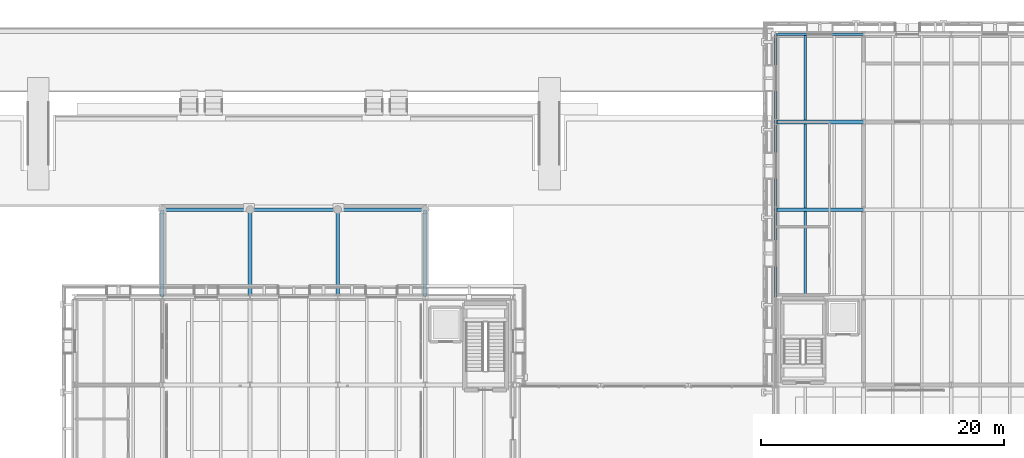
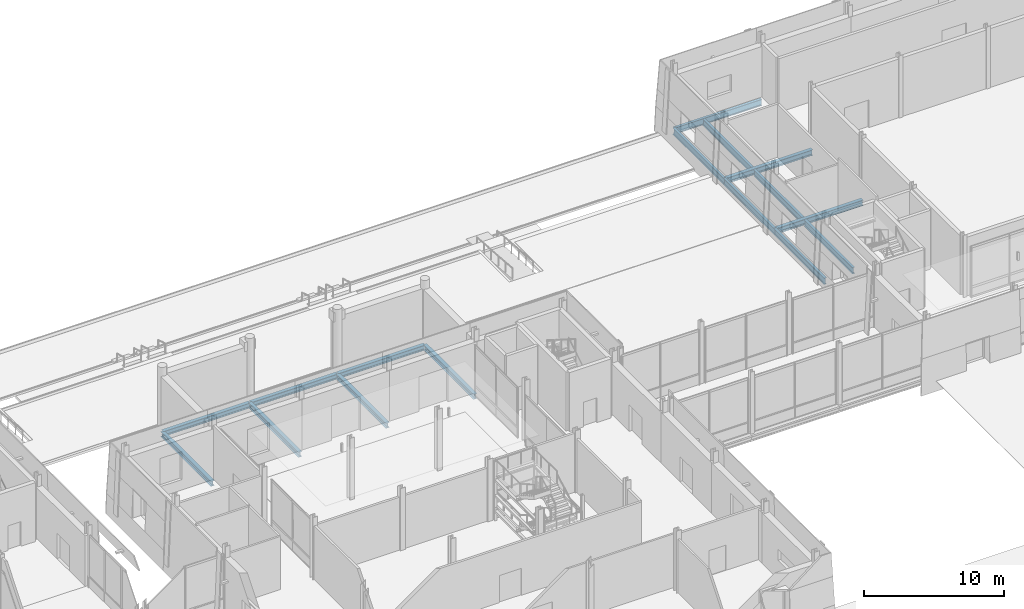
# One storey, part 37 of 120: 16 beams.
"""IFC4 building model written with IfcOpenShell, lengths in metres."""

from ifc_helpers import new_model, si_unit, direction, frame, origin, origin_2d, place, context, subcontext, project, spatial, i_section, extrude, material, material_profile, profile_set, type_object, element, save


model = new_model("IFC4")

# Units and contexts
model_context = context("Model", 3, precision=1e-05, world=origin(), true_north=direction((0.0, 1.0)))
body_context = subcontext(model_context, "Body", "Model", "MODEL_VIEW")
ifc_project = project(units=[si_unit("LENGTHUNIT", "METRE"), si_unit("AREAUNIT", "SQUARE_METRE"), si_unit("VOLUMEUNIT", "CUBIC_METRE"), si_unit("PLANEANGLEUNIT", "RADIAN"), si_unit("MASSUNIT", "GRAM", prefix="KILO")], contexts=[model_context])

# Site, building, storey
site_placement = place(None, origin())
site = spatial("IfcSite", under=ifc_project, at=site_placement, CompositionType="ELEMENT")
building_placement = place(site_placement, origin())
building = spatial("IfcBuilding", under=site, at=building_placement, Name="Narikvali Park Central Library", CompositionType="ELEMENT")
storey_placement = place(building_placement, origin())
storey = spatial("IfcBuildingStorey", under=building, at=storey_placement, Name="L00", CompositionType="ELEMENT", Elevation=0.0)

# Beams
ifc_material = material(Name="Steel S355", Category="steel")
ifc_material_profile_1 = material_profile(ifc_material, i_section(OverallWidth=0.2099609375, OverallDepth=0.550048828125, WebThickness=0.010986328125, FlangeThickness=0.01708984375, FilletRadius=0.02392578125, at=origin_2d()), Name="IPE 550")
ifc_profile_set_1 = profile_set([ifc_material_profile_1], Name="Steel S355")
beam_type_1 = type_object("IfcBeamType", Name="Assembly Floor Joist IPE550", PredefinedType="JOIST", material=ifc_profile_set_1)
beam_1_placement = place(storey_placement, frame((124.800048828125, 93.75, -0.594970703125), z_axis=(0.0, 1.0, 0.0), x_axis=(-1.0, 0.0, 0.0)))
element("IfcBeam", 1, at=beam_1_placement, inside=storey, type_object=beam_type_1, Name="V3 L00 Composite Joist 1", PredefinedType="JOIST", context=body_context, shape_type="SweptSolid", body=[
    extrude(i_section(OverallWidth=0.2099609375, OverallDepth=0.550048828125, WebThickness=0.010986328125, FlangeThickness=0.01708984375, FilletRadius=0.02392578125, at=origin_2d()), origin(), (0.0, 0.0, 1.0), 6.89990234375),
])
beam_2_placement = place(storey_placement, frame((124.800048828125, 100.949951171875, -0.594970703125), z_axis=(0.0, 1.0, 0.0), x_axis=(-1.0, 0.0, 0.0)))
element("IfcBeam", 2, at=beam_2_placement, inside=storey, type_object=beam_type_1, Name="V3 L00 Composite Joist 1", PredefinedType="JOIST", context=body_context, shape_type="SweptSolid", body=[
    extrude(i_section(OverallWidth=0.2099609375, OverallDepth=0.550048828125, WebThickness=0.010986328125, FlangeThickness=0.01708984375, FilletRadius=0.02392578125, at=origin_2d()), origin(), (0.0, 0.0, 1.0), 6.900146484375),
])
beam_3_placement = place(storey_placement, frame((124.800048828125, 108.14990234375, -0.594970703125), z_axis=(0.0, 1.0, 0.0), x_axis=(-1.0, 0.0, 0.0)))
element("IfcBeam", 3, at=beam_3_placement, inside=storey, type_object=beam_type_1, Name="V3 L00 Composite Joist 1", PredefinedType="JOIST", context=body_context, shape_type="SweptSolid", body=[
    extrude(i_section(OverallWidth=0.2099609375, OverallDepth=0.550048828125, WebThickness=0.010986328125, FlangeThickness=0.01708984375, FilletRadius=0.02392578125, at=origin_2d()), origin(), (0.0, 0.0, 1.0), 6.945068359375),
])
ifc_material_profile_2 = material_profile(ifc_material, i_section(OverallWidth=0.2099609375, OverallDepth=0.550048828125, WebThickness=0.010986328125, FlangeThickness=0.01708984375, FilletRadius=0.02392578125, at=origin_2d()), Name="IPE 550")
ifc_profile_set_2 = profile_set([ifc_material_profile_2], Name="Steel S355")
beam_type_2 = type_object("IfcBeamType", Name="Perimeter Spandrel IPE550", PredefinedType="SPANDREL", material=ifc_profile_set_2)
for number, where, z_axis, x_axis, name in (
    (4, (122.407958984375, 115.199951171875, -0.594970703125), (1.0, 0.0, 0.0), (0.0, 1.0, 0.0), "V3 L00 Girder X"),
    (5, (122.39990234375, 93.60791015625, -0.594970703125), (0.0, 1.0, 0.0), (-1.0, 0.0, 0.0), "V3 L00 Girder Y"),
):
    element("IfcBeam", number, at=place(storey_placement, frame(where, z_axis=z_axis, x_axis=x_axis)), inside=storey, type_object=beam_type_2, Name=name, PredefinedType="SPANDREL", context=body_context, shape_type="SweptSolid", body=[
        extrude(i_section(OverallWidth=0.2099609375, OverallDepth=0.550048828125, WebThickness=0.010986328125, FlangeThickness=0.01708984375, FilletRadius=0.02392578125, at=origin_2d()), origin(), (0.0, 0.0, 1.0), 7.18408203125),
    ])
for number, where, z_axis, x_axis, name in (
    (6, (122.39990234375, 100.80810546875, -0.594970703125), (0.0, 1.0, 0.0), (-1.0, 0.0, 0.0), "V3 L00 Girder Y"),
    (7, (122.39990234375, 108.008056640625, -0.594970703125), (0.0, 1.0, 0.0), (-1.0, 0.0, 0.0), "V3 L00 Girder Y"),
):
    element("IfcBeam", number, at=place(storey_placement, frame(where, z_axis=z_axis, x_axis=x_axis)), inside=storey, type_object=beam_type_2, Name=name, PredefinedType="SPANDREL", context=body_context, shape_type="SweptSolid", body=[
        extrude(i_section(OverallWidth=0.2099609375, OverallDepth=0.550048828125, WebThickness=0.010986328125, FlangeThickness=0.01708984375, FilletRadius=0.02392578125, at=origin_2d()), origin(), (0.0, 0.0, 1.0), 7.183837890625),
    ])
ifc_material_profile_3 = material_profile(ifc_material, i_section(OverallWidth=0.300048828125, OverallDepth=0.43994140625, WebThickness=0.011474609375, FlangeThickness=0.02099609375, FilletRadius=0.027099609375, at=origin_2d()), Name="HEA 450")
ifc_profile_set_3 = profile_set([ifc_material_profile_3], Name="Steel S355")
beam_type_3 = type_object("IfcBeamType", Name="Primary Girder HEA450", PredefinedType="BEAM", material=ifc_profile_set_3)
for number, where, z_axis, x_axis, name in (
    (8, (72.02001953125, 100.800048828125, -0.5400390625), (1.0, 0.0, 0.0), (0.0, 1.0, 0.0), "Entrance Arch Spandrel Girder L00"),
    (9, (79.219970703125, 100.800048828125, -0.5400390625), (1.0, 0.0, 0.0), (0.0, 1.0, 0.0), "Entrance Arch Spandrel Girder L00"),
):
    element("IfcBeam", number, at=place(storey_placement, frame(where, z_axis=z_axis, x_axis=x_axis)), inside=storey, type_object=beam_type_3, Name=name, PredefinedType="BEAM", context=body_context, shape_type="SweptSolid", body=[
        extrude(i_section(OverallWidth=0.300048828125, OverallDepth=0.43994140625, WebThickness=0.011474609375, FlangeThickness=0.02099609375, FilletRadius=0.027099609375, at=origin_2d()), origin(), (0.0, 0.0, 1.0), 7.159912109375),
    ])
beam_4_placement = place(storey_placement, frame((86.419921875, 100.800048828125, -0.5400390625), z_axis=(1.0, 0.0, 0.0), x_axis=(0.0, 1.0, 0.0)))
element("IfcBeam", 10, at=beam_4_placement, inside=storey, type_object=beam_type_3, Name="Entrance Arch Spandrel Girder L00", PredefinedType="BEAM", context=body_context, shape_type="SweptSolid", body=[
    extrude(i_section(OverallWidth=0.300048828125, OverallDepth=0.43994140625, WebThickness=0.011474609375, FlangeThickness=0.02099609375, FilletRadius=0.027099609375, at=origin_2d()), origin(), (0.0, 0.0, 1.0), 7.16015625),
])
for number, where, z_axis, x_axis, name in (
    (11, (72.0, 93.610107421875, -0.5400390625), (0.0, 1.0, 0.0), (-1.0, 0.0, 0.0), "Entrance Arch Tie Girder L00"),
    (12, (79.199951171875, 93.610107421875, -0.5400390625), (0.0, 1.0, 0.0), (-1.0, 0.0, 0.0), "Entrance Arch Tie Girder L00"),
    (13, (86.39990234375, 93.610107421875, -0.5400390625), (0.0, 1.0, 0.0), (-1.0, 0.0, 0.0), "Entrance Arch Tie Girder L00"),
    (14, (93.60009765625, 93.610107421875, -0.5400390625), (0.0, 1.0, 0.0), (-1.0, 0.0, 0.0), "Entrance Arch Tie Girder L00"),
):
    element("IfcBeam", number, at=place(storey_placement, frame(where, z_axis=z_axis, x_axis=x_axis)), inside=storey, type_object=beam_type_3, Name=name, PredefinedType="BEAM", context=body_context, shape_type="SweptSolid", body=[
        extrude(i_section(OverallWidth=0.300048828125, OverallDepth=0.43994140625, WebThickness=0.011474609375, FlangeThickness=0.02099609375, FilletRadius=0.027099609375, at=origin_2d()), origin(), (0.0, 0.0, 1.0), 7.169921875),
    ])
ifc_material_profile_4 = material_profile(ifc_material, i_section(OverallWidth=0.300048828125, OverallDepth=0.489990234375, WebThickness=0.011962890625, FlangeThickness=0.02294921875, FilletRadius=0.027099609375, at=origin_2d()), Name="HEA 500")
ifc_profile_set_4 = profile_set([ifc_material_profile_4], Name="Steel S355")
beam_type_4 = type_object("IfcBeamType", Name="Primary Girder HEA500", PredefinedType="BEAM", material=ifc_profile_set_4)
for number, where, z_axis, x_axis, name in (
    (15, (122.407958984375, 100.800048828125, -0.56494140625), (1.0, 0.0, 0.0), (0.0, 1.0, 0.0), "V3 L00 Girder X"),
    (16, (122.407958984375, 108.0, -0.56494140625), (1.0, 0.0, 0.0), (0.0, 1.0, 0.0), "V3 L00 Girder X"),
):
    element("IfcBeam", number, at=place(storey_placement, frame(where, z_axis=z_axis, x_axis=x_axis)), inside=storey, type_object=beam_type_4, Name=name, PredefinedType="BEAM", context=body_context, shape_type="SweptSolid", body=[
        extrude(i_section(OverallWidth=0.300048828125, OverallDepth=0.489990234375, WebThickness=0.011962890625, FlangeThickness=0.02294921875, FilletRadius=0.027099609375, at=origin_2d()), origin(), (0.0, 0.0, 1.0), 7.18408203125),
    ])

save(model, "model.ifc")
